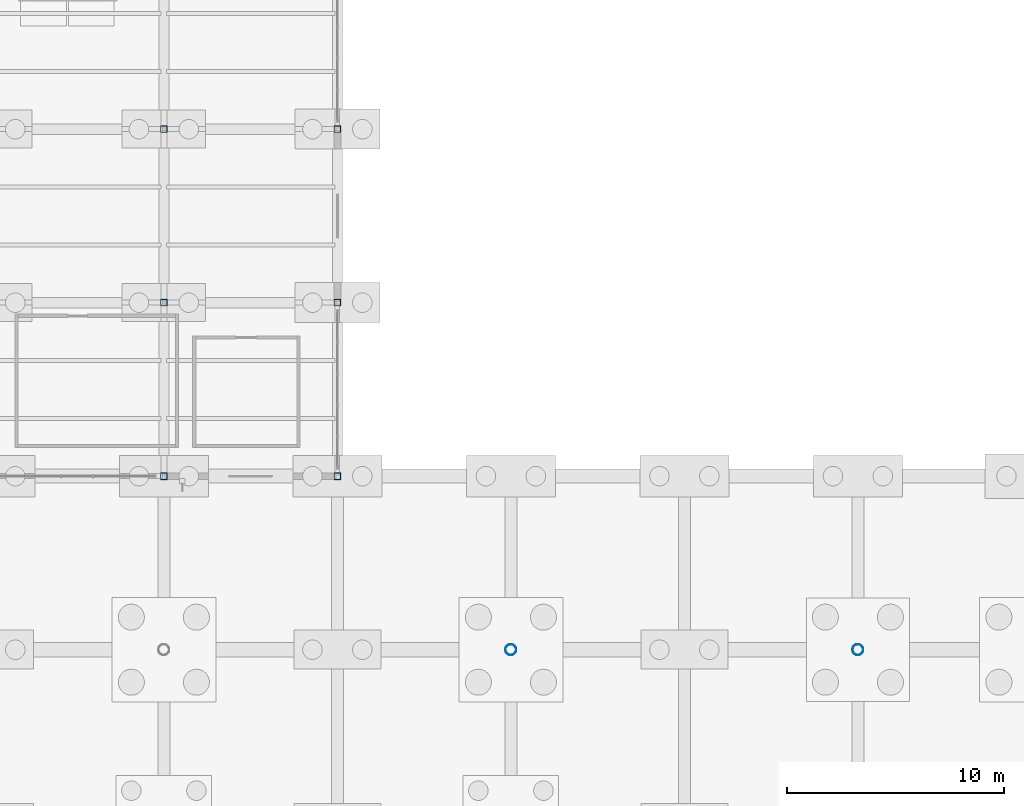
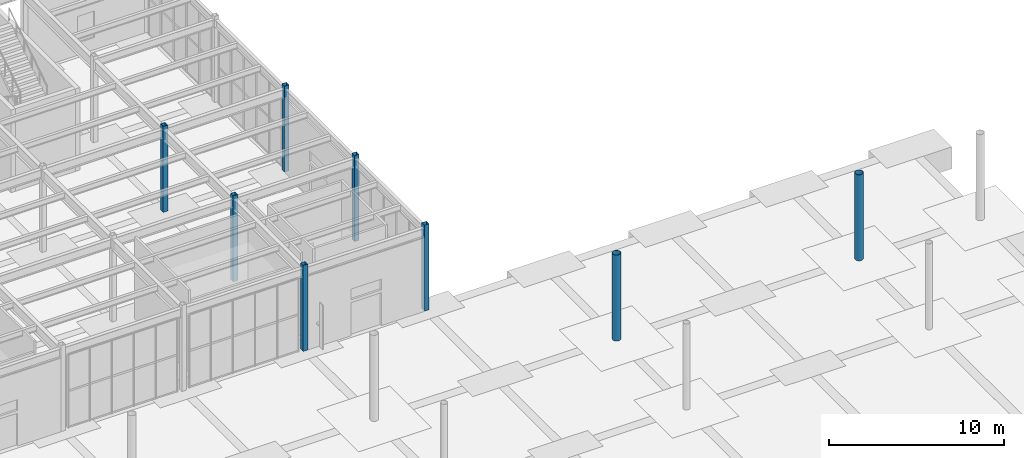
# One storey, part 23 of 82: 8 columns.
"""IFC4 building model written with IfcOpenShell, lengths in metres."""

import ifcopenshell
import ifcopenshell.guid

model = None  # the IFC model being written
_history = None  # IfcOwnerHistory: only IFC2X3 demands one
_inside = {}  # id of a spatial element -> (the spatial element, [elements in it])
_under = {}  # id of a project, library or spatial element -> (it, [spatial elements below it])
_declared = {}  # id of a project -> (the project, [libraries it declares])
_typed = {}  # id of a type object -> (the type object, [elements of that type])
_made_of = {}  # id of a material, layer set ... -> (it, [elements and type objects made of it])


def new_model(schema):
    """Start an empty IFC model of exactly this schema.

    Asked for "IFC4X3", IfcOpenShell would pick the latest addendum, in which some entities
    have other attributes; the version numbers below select the first issue.
    IFC2X3 requires an IfcOwnerHistory on every rooted entity: one is made here for all.
    """
    global model, _history
    if schema == "IFC4X3":
        model = ifcopenshell.file(schema_version=(4, 3, 0, 0))
    else:
        model = ifcopenshell.file(schema=schema)
    _inside.clear()
    _under.clear()
    _declared.clear()
    _typed.clear()
    _made_of.clear()
    _history = None
    if model.schema == "IFC2X3":
        org = make("IfcOrganization", Name="unknown")
        user = make(
            "IfcPersonAndOrganization",
            ThePerson=make("IfcPerson", FamilyName="unknown"),
            TheOrganization=org,
        )
        app = make(
            "IfcApplication",
            ApplicationDeveloper=org,
            Version="unknown",
            ApplicationFullName="unknown",
            ApplicationIdentifier="unknown",
        )
        _history = make(
            "IfcOwnerHistory",
            OwningUser=user,
            OwningApplication=app,
            ChangeAction="ADDED",
            CreationDate=0,
        )
    return model


def make(cls, **values):
    """One entity of the class cls with the attributes given. An attribute that is None is left unset."""
    return model.create_entity(
        cls, **{name: value for name, value in values.items() if value is not None}
    )


def rooted(cls, **values):
    """An entity with a GlobalId (a new one), such as an element, a storey or a relation."""
    return make(cls, GlobalId=ifcopenshell.guid.new(), OwnerHistory=_history, **values)


def si_unit(unit_type, name, prefix=None):
    """IfcSIUnit, for example si_unit("LENGTHUNIT", "METRE", prefix="MILLI")."""
    return make("IfcSIUnit", UnitType=unit_type, Prefix=prefix, Name=name)


def assignment(units):
    """IfcUnitAssignment: the units of a project."""
    return None if units is None else make("IfcUnitAssignment", Units=units)


def point(xyz):
    """IfcCartesianPoint."""
    return None if xyz is None else make("IfcCartesianPoint", Coordinates=xyz)


def direction(xyz):
    """IfcDirection."""
    return None if xyz is None else make("IfcDirection", DirectionRatios=xyz)


def frame(location, z_axis=None, x_axis=None):
    """IfcAxis2Placement3D, a coordinate frame: its origin and axes. An axis left out is left unset."""
    return make(
        "IfcAxis2Placement3D",
        Location=point(location),
        Axis=direction(z_axis),
        RefDirection=direction(x_axis),
    )


def frame_2d(location, x_axis=None):
    """IfcAxis2Placement2D, a coordinate frame in the plane: its origin and x axis."""
    return make(
        "IfcAxis2Placement2D", Location=point(location), RefDirection=direction(x_axis)
    )


def origin():
    """The frame at (0, 0, 0) with its axes left unset."""
    return frame((0.0, 0.0, 0.0))


def origin_2d():
    """The frame at (0, 0) in the plane with its x axis left unset."""
    return frame_2d((0.0, 0.0))


def place(relative_to, where):
    """IfcLocalPlacement: puts the frame where relative to a parent placement (None: the world)."""
    return make(
        "IfcLocalPlacement", PlacementRelTo=relative_to, RelativePlacement=where
    )


def context(
    kind, dimensions, precision=None, world=None, true_north=None, identifier=None
):
    """IfcGeometricRepresentationContext, for example the 3D "Model" context."""
    return make(
        "IfcGeometricRepresentationContext",
        ContextIdentifier=identifier,
        ContextType=kind,
        CoordinateSpaceDimension=dimensions,
        Precision=precision,
        WorldCoordinateSystem=world,
        TrueNorth=true_north,
    )


def subcontext(parent, identifier, kind, view, scale=None):
    """IfcGeometricRepresentationSubContext, for example "Body" below "Model"."""
    return make(
        "IfcGeometricRepresentationSubContext",
        ContextIdentifier=identifier,
        ContextType=kind,
        ParentContext=parent,
        TargetScale=scale,
        TargetView=view,
    )


def project(units=None, contexts=None):
    """IfcProject with its units and contexts."""
    return rooted(
        "IfcProject",
        Name="project",
        RepresentationContexts=contexts,
        UnitsInContext=assignment(units),
    )


def spatial(cls, under=None, at=None, **own):
    """A site, building, storey or space (cls), placed at a placement, below another one or the project."""
    s = rooted(cls, ObjectPlacement=at, **own)
    if under is not None:
        _under.setdefault(under.id(), (under, []))[1].append(s)
    return s


def profile(cls, at=None, kind="AREA", **sizes):
    """A parametric profile (cls). Its sizes go by their IFC names, for example OverallWidth=200.0."""
    return make(cls, ProfileType=kind, Position=at, **sizes)


def hollow_rectangle(**sizes):
    """IfcRectangleHollowProfileDef."""
    return profile("IfcRectangleHollowProfileDef", **sizes)


def hollow_circle(**sizes):
    """IfcCircleHollowProfileDef."""
    return profile("IfcCircleHollowProfileDef", **sizes)


def extrude(swept, where, along, depth):
    """IfcExtrudedAreaSolid: the profile swept, set in the frame where, extruded along a direction by depth."""
    return make(
        "IfcExtrudedAreaSolid",
        SweptArea=swept,
        Position=where,
        ExtrudedDirection=direction(along),
        Depth=depth,
    )


def shape(context_of_items, identifier, shape_type, items):
    """IfcShapeRepresentation: the items that make up one representation, for example the "Body"."""
    return make(
        "IfcShapeRepresentation",
        ContextOfItems=context_of_items,
        RepresentationIdentifier=identifier,
        RepresentationType=shape_type,
        Items=items,
    )


def material(Name=None, Category=None):
    """IfcMaterial."""
    return make("IfcMaterial", Name=Name, Category=Category)


def material_profile(
    of_material, cross_section, Name=None, Category=None, Priority=None
):
    """IfcMaterialProfile: a cross section and its material."""
    return make(
        "IfcMaterialProfile",
        Name=Name,
        Material=of_material,
        Profile=cross_section,
        Priority=Priority,
        Category=Category,
    )


def profile_set(profiles, Name=None, composite=None):
    """IfcMaterialProfileSet."""
    return make(
        "IfcMaterialProfileSet",
        Name=Name,
        MaterialProfiles=profiles,
        CompositeProfile=composite,
    )


def made_of(thing, what):
    """Note that an element or type object is made of a material, layer set ...; save() writes the relation."""
    if what is not None:
        _made_of.setdefault(what.id(), (what, []))[1].append(thing)
    return thing


def type_object(cls, material=None, **own):
    """A type object (cls), such as IfcWallType, which elements share."""
    return made_of(rooted(cls, **own), material)


def element(
    cls,
    number,
    at=None,
    inside=None,
    cuts=None,
    type_object=None,
    material=None,
    context=None,
    identifier="Body",
    shape_type=None,
    held_by="IfcProductDefinitionShape",
    body=None,
    shapes=None,
    **own,
):
    """One element of the class cls, such as IfcWall. Its Tag is "e" and its number.

    at: its placement. inside: the storey or other place that contains it. cuts: it is an
    opening in that element (IfcRelVoidsElement). A single representation is given by context,
    identifier, shape_type and body (its items); several are given by shapes. held_by: the class
    of the entity that holds the representations. save() writes the other relations.
    """
    e = rooted(cls, Tag="e%d" % number, ObjectPlacement=at, **own)
    if body is not None:
        shapes = [shape(context, identifier, shape_type, body)]
    if shapes is not None:
        e.Representation = make(held_by, Representations=shapes)
    if inside is not None:
        _inside.setdefault(inside.id(), (inside, []))[1].append(e)
    if cuts is not None:
        rooted(
            "IfcRelVoidsElement", RelatingBuildingElement=cuts, RelatedOpeningElement=e
        )
    if type_object is not None:
        _typed.setdefault(type_object.id(), (type_object, []))[1].append(e)
    return made_of(e, material)


def aggregate(whole, parts):
    """IfcRelAggregates: a whole, such as a stair, and the parts it consists of."""
    return rooted("IfcRelAggregates", RelatingObject=whole, RelatedObjects=parts)


def save(model, path):
    """Write the relations noted so far, then the file.

    IfcRelAggregates (storeys below a building ...), IfcRelContainedInSpatialStructure (elements
    in a storey), IfcRelDefinesByType, IfcRelAssociatesMaterial and IfcRelDeclares: one each for
    every whole, place, type object, material and project.
    """
    for whole, parts in _under.values():
        aggregate(whole, parts)
    for where, things in _inside.values():
        rooted(
            "IfcRelContainedInSpatialStructure",
            RelatedElements=things,
            RelatingStructure=where,
        )
    for kind, things in _typed.values():
        rooted("IfcRelDefinesByType", RelatedObjects=things, RelatingType=kind)
    for what, things in _made_of.values():
        rooted("IfcRelAssociatesMaterial", RelatedObjects=things, RelatingMaterial=what)
    for by, libraries in _declared.values():
        rooted("IfcRelDeclares", RelatingContext=by, RelatedDefinitions=libraries)
    model.write(path)


model = new_model("IFC4")

# Units and contexts
model_context = context("Model", 3, precision=1e-05, world=origin(), true_north=direction((0.0, 1.0)))
body_context = subcontext(model_context, "Body", "Model", "MODEL_VIEW")
ifc_project = project(units=[si_unit("LENGTHUNIT", "METRE"), si_unit("AREAUNIT", "SQUARE_METRE"), si_unit("VOLUMEUNIT", "CUBIC_METRE"), si_unit("PLANEANGLEUNIT", "RADIAN"), si_unit("MASSUNIT", "GRAM", prefix="KILO")], contexts=[model_context])

# Site, building, storey
site_placement = place(None, origin())
site = spatial("IfcSite", under=ifc_project, at=site_placement, CompositionType="ELEMENT")
building_placement = place(site_placement, origin())
building = spatial("IfcBuilding", under=site, at=building_placement, Name="Drelvath Fold Interchange", CompositionType="ELEMENT")
storey_placement = place(building_placement, origin())
storey = spatial("IfcBuildingStorey", under=building, at=storey_placement, Name="L00", CompositionType="ELEMENT", Elevation=0.0)

# Columns
ifc_material = material(Name="Steel ASTM A500 Grade C", Category="steel")
ifc_material_profile_1 = material_profile(ifc_material, hollow_circle(Radius=0.25390625, WallThickness=0.014892578125, at=origin_2d()), Name="HSS20.000X0.625")
ifc_profile_set_1 = profile_set([ifc_material_profile_1], Name="Steel ASTM A500 Grade C")
column_type_1 = type_object("IfcColumnType", Name="COL-CFT508", PredefinedType="COLUMN", material=ifc_profile_set_1)
for number, where, z_axis, x_axis, name in (
    (1, (150.0, 67.0, 0.0), (0.0, 0.0, 1.0), (1.0, 0.0, 0.0), "L00 column (150,67)"),
    (2, (166.0, 67.0, 0.0), (0.0, 0.0, 1.0), (1.0, 0.0, 0.0), "L00 column (166,67)"),
):
    element("IfcColumn", number, at=place(storey_placement, frame(where, z_axis=z_axis, x_axis=x_axis)), inside=storey, type_object=column_type_1, Name=name, PredefinedType="COLUMN", context=body_context, shape_type="SweptSolid", body=[
        extrude(hollow_circle(Radius=0.25390625, WallThickness=0.014892578125, at=origin_2d()), origin(), (0.0, 0.0, 1.0), 6.0),
    ])
ifc_material_profile_2 = material_profile(ifc_material, hollow_rectangle(XDim=0.304931640625, YDim=0.304931640625, WallThickness=0.01171875, at=origin_2d()), Name="HSS12X12X1/2")
ifc_profile_set_2 = profile_set([ifc_material_profile_2], Name="Steel ASTM A500 Grade C")
column_type_2 = type_object("IfcColumnType", Name="COL-HSS305", PredefinedType="COLUMN", material=ifc_profile_set_2)
for number, where, z_axis, x_axis, name in (
    (3, (134.0, 75.0, 0.0), (0.0, 0.0, 1.0), (1.0, 0.0, 0.0), "L00 column (134,75)"),
    (4, (134.0, 83.0, 0.0), (0.0, 0.0, 1.0), (1.0, 0.0, 0.0), "L00 column (134,83)"),
    (5, (134.0, 91.0, 0.0), (0.0, 0.0, 1.0), (1.0, 0.0, 0.0), "L00 column (134,91)"),
    (6, (142.0, 75.0, 0.0), (0.0, 0.0, 1.0), (1.0, 0.0, 0.0), "L00 column (142,75)"),
    (7, (142.0, 83.0, 0.0), (0.0, 0.0, 1.0), (1.0, 0.0, 0.0), "L00 column (142,83)"),
    (8, (142.0, 91.0, 0.0), (0.0, 0.0, 1.0), (1.0, 0.0, 0.0), "L00 column (142,91)"),
):
    element("IfcColumn", number, at=place(storey_placement, frame(where, z_axis=z_axis, x_axis=x_axis)), inside=storey, type_object=column_type_2, Name=name, PredefinedType="COLUMN", context=body_context, shape_type="SweptSolid", body=[
        extrude(hollow_rectangle(XDim=0.304931640625, YDim=0.304931640625, WallThickness=0.01171875, at=origin_2d()), origin(), (0.0, 0.0, 1.0), 6.0),
    ])

save(model, "model.ifc")
